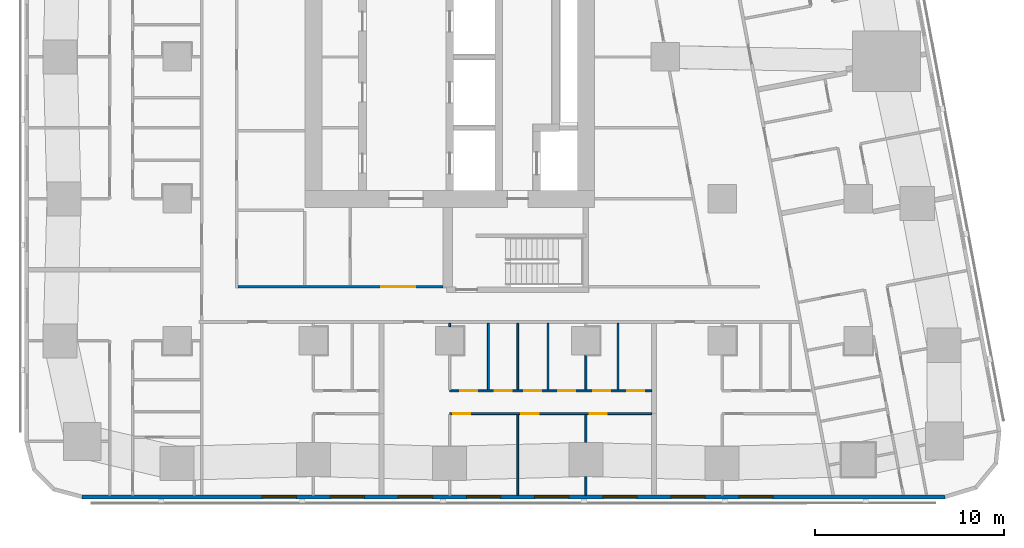
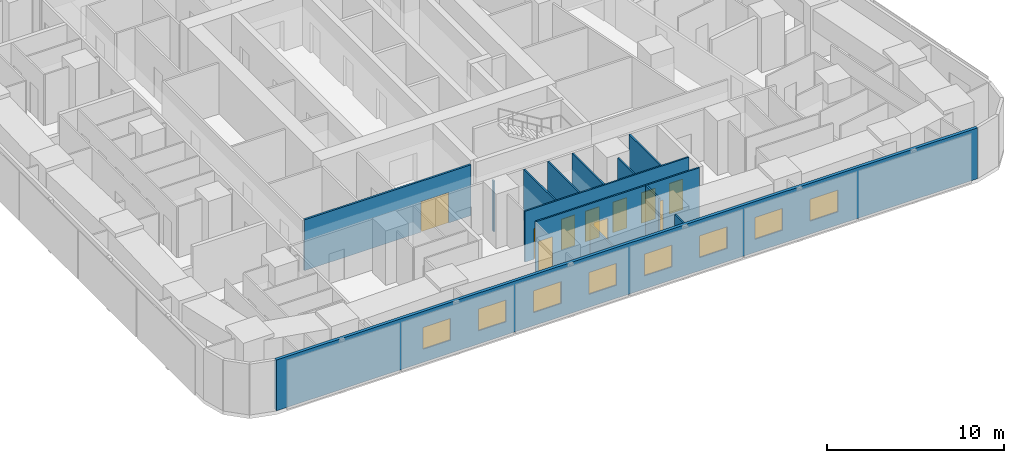
# One storey, part 3 of 15: 13 walls, 10 doors, 8 windows, 18 openings.
"""IFC4 building model written with IfcOpenShell, lengths in metres."""

from ifc_helpers import new_model, si_unit, direction, frame, frame_2d, origin, place, context, subcontext, project, spatial, rectangle, extrude, material, layer, layer_set, type_object, element, fill, save


model = new_model("IFC4")

# Units and contexts
model_context = context("Model", 3, precision=1e-05, world=origin(), true_north=direction((0.0, 1.0)))
body_context = subcontext(model_context, "Body", "Model", "MODEL_VIEW")
ifc_project = project(units=[si_unit("LENGTHUNIT", "METRE"), si_unit("AREAUNIT", "SQUARE_METRE"), si_unit("VOLUMEUNIT", "CUBIC_METRE"), si_unit("PLANEANGLEUNIT", "RADIAN"), si_unit("MASSUNIT", "GRAM", prefix="KILO")], contexts=[model_context])

# Site, building, storey
site_placement = place(None, origin())
site = spatial("IfcSite", under=ifc_project, at=site_placement, CompositionType="ELEMENT")
building_placement = place(site_placement, origin())
building = spatial("IfcBuilding", under=site, at=building_placement, Name="Sheger Commons Tower", CompositionType="ELEMENT")
storey_placement = place(building_placement, frame((0.0, 0.0, 143.300048828125)))
storey = spatial("IfcBuildingStorey", under=building, at=storey_placement, Name="L36", CompositionType="ELEMENT", Elevation=143.300048828125)

# Wall, openings, windows
ifc_material_1 = material(Name="Rendered concrete block masonry, dark grey", Category="masonry")
ifc_layer_1 = layer(ifc_material_1, 0.199951171875)
ifc_layer_set_1 = layer_set([ifc_layer_1], Name="FACADE WALL 200")
wall_type_1 = type_object("IfcWallType", Name="FACADE WALL 200", PredefinedType="SOLIDWALL", material=ifc_layer_set_1)
wall_1_placement = place(storey_placement, frame((2.1630859375, -0.75, 0.0), z_axis=(0.0, 0.0, 1.0), x_axis=(1.0, 0.0, 0.0)))
wall_1 = element("IfcWall", 1, at=wall_1_placement, inside=storey, type_object=wall_type_1, Name="Facade wall L36", PredefinedType="SOLIDWALL", context=body_context, shape_type="SweptSolid", body=[
    extrude(rectangle(XDim=45.6279296875, YDim=0.199951171875, at=frame_2d((22.81396484375, 0.0))), origin(), (0.0, 0.0, 1.0), 3.5),
])
opening_1_placement = place(wall_1_placement, frame((9.537109375, 0.0, 0.89990234375)))
opening_1 = element("IfcOpeningElement", 2, at=opening_1_placement, cuts=wall_1, Name="Opening W2", PredefinedType="OPENING", context=body_context, shape_type="SweptSolid", body=[
    extrude(rectangle(XDim=1.800048828125, YDim=1.5, at=frame_2d((0.89990234375, 0.75))), frame((0.0, 0.10986328125, 0.0), z_axis=(0.0, -1.0, 0.0), x_axis=(1.0, 0.0, 0.0)), (0.0, 0.0, 1.0), 0.219970703125),
])
opening_2_placement = place(wall_1_placement, frame((13.136962890625, 0.0, 0.89990234375)))
opening_2 = element("IfcOpeningElement", 3, at=opening_2_placement, cuts=wall_1, Name="Opening W2", PredefinedType="OPENING", context=body_context, shape_type="SweptSolid", body=[
    extrude(rectangle(XDim=1.800048828125, YDim=1.5, at=frame_2d((0.89990234375, 0.75))), frame((0.0, 0.10986328125, 0.0), z_axis=(0.0, -1.0, 0.0), x_axis=(1.0, 0.0, 0.0)), (0.0, 0.0, 1.0), 0.219970703125),
])
opening_3_placement = place(wall_1_placement, frame((16.737060546875, 0.0, 0.89990234375)))
opening_3 = element("IfcOpeningElement", 4, at=opening_3_placement, cuts=wall_1, Name="Opening W2", PredefinedType="OPENING", context=body_context, shape_type="SweptSolid", body=[
    extrude(rectangle(XDim=1.800048828125, YDim=1.5, at=frame_2d((0.89990234375, 0.75))), frame((0.0, 0.10986328125, 0.0), z_axis=(0.0, -1.0, 0.0), x_axis=(1.0, 0.0, 0.0)), (0.0, 0.0, 1.0), 0.219970703125),
])
opening_4_placement = place(wall_1_placement, frame((20.3369140625, 0.0, 0.89990234375)))
opening_4 = element("IfcOpeningElement", 5, at=opening_4_placement, cuts=wall_1, Name="Opening W2", PredefinedType="OPENING", context=body_context, shape_type="SweptSolid", body=[
    extrude(rectangle(XDim=1.800048828125, YDim=1.5, at=frame_2d((0.89990234375, 0.75))), frame((0.0, 0.10986328125, 0.0), z_axis=(0.0, -1.0, 0.0), x_axis=(1.0, 0.0, 0.0)), (0.0, 0.0, 1.0), 0.219970703125),
])
opening_5_placement = place(wall_1_placement, frame((23.93701171875, 0.0, 0.89990234375)))
opening_5 = element("IfcOpeningElement", 6, at=opening_5_placement, cuts=wall_1, Name="Opening W2", PredefinedType="OPENING", context=body_context, shape_type="SweptSolid", body=[
    extrude(rectangle(XDim=1.800048828125, YDim=1.5, at=frame_2d((0.89990234375, 0.75))), frame((0.0, 0.10986328125, 0.0), z_axis=(0.0, -1.0, 0.0), x_axis=(1.0, 0.0, 0.0)), (0.0, 0.0, 1.0), 0.219970703125),
])
opening_6_placement = place(wall_1_placement, frame((27.537109375, 0.0, 0.89990234375)))
opening_6 = element("IfcOpeningElement", 7, at=opening_6_placement, cuts=wall_1, Name="Opening W2", PredefinedType="OPENING", context=body_context, shape_type="SweptSolid", body=[
    extrude(rectangle(XDim=1.800048828125, YDim=1.5, at=frame_2d((0.89990234375, 0.75))), frame((0.0, 0.10986328125, 0.0), z_axis=(0.0, -1.0, 0.0), x_axis=(1.0, 0.0, 0.0)), (0.0, 0.0, 1.0), 0.219970703125),
])
opening_7_placement = place(wall_1_placement, frame((31.136962890625, 0.0, 0.89990234375)))
opening_7 = element("IfcOpeningElement", 8, at=opening_7_placement, cuts=wall_1, Name="Opening W2", PredefinedType="OPENING", context=body_context, shape_type="SweptSolid", body=[
    extrude(rectangle(XDim=1.800048828125, YDim=1.5, at=frame_2d((0.89990234375, 0.75))), frame((0.0, 0.10986328125, 0.0), z_axis=(0.0, -1.0, 0.0), x_axis=(1.0, 0.0, 0.0)), (0.0, 0.0, 1.0), 0.219970703125),
])
opening_8_placement = place(wall_1_placement, frame((34.737060546875, 0.0, 0.89990234375)))
opening_8 = element("IfcOpeningElement", 9, at=opening_8_placement, cuts=wall_1, Name="Opening W2", PredefinedType="OPENING", context=body_context, shape_type="SweptSolid", body=[
    extrude(rectangle(XDim=1.800048828125, YDim=1.5, at=frame_2d((0.89990234375, 0.75))), frame((0.0, 0.10986328125, 0.0), z_axis=(0.0, -1.0, 0.0), x_axis=(1.0, 0.0, 0.0)), (0.0, 0.0, 1.0), 0.219970703125),
])
ifc_material_2 = material(Name="Black aluminium frame, dark tinted double glazing", Category="aluminium")
window_type = type_object("IfcWindowType", Name="WINDOW W2 1800x1500", PartitioningType="SINGLE_PANEL", PredefinedType="WINDOW", material=ifc_material_2)
window_1_placement = place(opening_1_placement, origin())
window_1 = element("IfcWindow", 10, at=window_1_placement, inside=storey, type_object=window_type, Name="Window W2 1800X1500", OverallHeight=1.5, OverallWidth=1.800048828125, PartitioningType="SINGLE_PANEL", PredefinedType="WINDOW", context=body_context, shape_type="SweptSolid", body=[
    extrude(rectangle(XDim=1.800048828125, YDim=1.5, at=frame_2d((0.89990234375, 0.75))), frame((0.0, 0.030029296875, 0.0), z_axis=(0.0, -1.0, 0.0), x_axis=(1.0, 0.0, 0.0)), (0.0, 0.0, 1.0), 0.06005859375),
])
fill(opening_1, window_1)
window_2_placement = place(opening_2_placement, origin())
window_2 = element("IfcWindow", 11, at=window_2_placement, inside=storey, type_object=window_type, Name="Window W2 1800X1500", OverallHeight=1.5, OverallWidth=1.800048828125, PartitioningType="SINGLE_PANEL", PredefinedType="WINDOW", context=body_context, shape_type="SweptSolid", body=[
    extrude(rectangle(XDim=1.800048828125, YDim=1.5, at=frame_2d((0.89990234375, 0.75))), frame((0.0, 0.030029296875, 0.0), z_axis=(0.0, -1.0, 0.0), x_axis=(1.0, 0.0, 0.0)), (0.0, 0.0, 1.0), 0.06005859375),
])
fill(opening_2, window_2)
window_3_placement = place(opening_3_placement, origin())
window_3 = element("IfcWindow", 12, at=window_3_placement, inside=storey, type_object=window_type, Name="Window W2 1800X1500", OverallHeight=1.5, OverallWidth=1.800048828125, PartitioningType="SINGLE_PANEL", PredefinedType="WINDOW", context=body_context, shape_type="SweptSolid", body=[
    extrude(rectangle(XDim=1.800048828125, YDim=1.5, at=frame_2d((0.89990234375, 0.75))), frame((0.0, 0.030029296875, 0.0), z_axis=(0.0, -1.0, 0.0), x_axis=(1.0, 0.0, 0.0)), (0.0, 0.0, 1.0), 0.06005859375),
])
fill(opening_3, window_3)
window_4_placement = place(opening_4_placement, origin())
window_4 = element("IfcWindow", 13, at=window_4_placement, inside=storey, type_object=window_type, Name="Window W2 1800X1500", OverallHeight=1.5, OverallWidth=1.800048828125, PartitioningType="SINGLE_PANEL", PredefinedType="WINDOW", context=body_context, shape_type="SweptSolid", body=[
    extrude(rectangle(XDim=1.800048828125, YDim=1.5, at=frame_2d((0.89990234375, 0.75))), frame((0.0, 0.030029296875, 0.0), z_axis=(0.0, -1.0, 0.0), x_axis=(1.0, 0.0, 0.0)), (0.0, 0.0, 1.0), 0.06005859375),
])
fill(opening_4, window_4)
window_5_placement = place(opening_5_placement, origin())
window_5 = element("IfcWindow", 14, at=window_5_placement, inside=storey, type_object=window_type, Name="Window W2 1800X1500", OverallHeight=1.5, OverallWidth=1.800048828125, PartitioningType="SINGLE_PANEL", PredefinedType="WINDOW", context=body_context, shape_type="SweptSolid", body=[
    extrude(rectangle(XDim=1.800048828125, YDim=1.5, at=frame_2d((0.89990234375, 0.75))), frame((0.0, 0.030029296875, 0.0), z_axis=(0.0, -1.0, 0.0), x_axis=(1.0, 0.0, 0.0)), (0.0, 0.0, 1.0), 0.06005859375),
])
fill(opening_5, window_5)
window_6_placement = place(opening_6_placement, origin())
window_6 = element("IfcWindow", 15, at=window_6_placement, inside=storey, type_object=window_type, Name="Window W2 1800X1500", OverallHeight=1.5, OverallWidth=1.800048828125, PartitioningType="SINGLE_PANEL", PredefinedType="WINDOW", context=body_context, shape_type="SweptSolid", body=[
    extrude(rectangle(XDim=1.800048828125, YDim=1.5, at=frame_2d((0.89990234375, 0.75))), frame((0.0, 0.030029296875, 0.0), z_axis=(0.0, -1.0, 0.0), x_axis=(1.0, 0.0, 0.0)), (0.0, 0.0, 1.0), 0.06005859375),
])
fill(opening_6, window_6)
window_7_placement = place(opening_7_placement, origin())
window_7 = element("IfcWindow", 16, at=window_7_placement, inside=storey, type_object=window_type, Name="Window W2 1800X1500", OverallHeight=1.5, OverallWidth=1.800048828125, PartitioningType="SINGLE_PANEL", PredefinedType="WINDOW", context=body_context, shape_type="SweptSolid", body=[
    extrude(rectangle(XDim=1.800048828125, YDim=1.5, at=frame_2d((0.89990234375, 0.75))), frame((0.0, 0.030029296875, 0.0), z_axis=(0.0, -1.0, 0.0), x_axis=(1.0, 0.0, 0.0)), (0.0, 0.0, 1.0), 0.06005859375),
])
fill(opening_7, window_7)
window_8_placement = place(opening_8_placement, origin())
window_8 = element("IfcWindow", 17, at=window_8_placement, inside=storey, type_object=window_type, Name="Window W2 1800X1500", OverallHeight=1.5, OverallWidth=1.800048828125, PartitioningType="SINGLE_PANEL", PredefinedType="WINDOW", context=body_context, shape_type="SweptSolid", body=[
    extrude(rectangle(XDim=1.800048828125, YDim=1.5, at=frame_2d((0.89990234375, 0.75))), frame((0.0, 0.030029296875, 0.0), z_axis=(0.0, -1.0, 0.0), x_axis=(1.0, 0.0, 0.0)), (0.0, 0.0, 1.0), 0.06005859375),
])
fill(opening_8, window_8)

# Wall, openings, doors
ifc_material_3 = material(Name="Gypsum board on steel studs", Category="steel")
ifc_layer_2 = layer(ifc_material_3, 0.10009765625)
ifc_layer_set_2 = layer_set([ifc_layer_2], Name="PARTITION 100")
wall_type_2 = type_object("IfcWallType", Name="PARTITION 100", PredefinedType="PARTITIONING", material=ifc_layer_set_2)
wall_2_placement = place(storey_placement, frame((32.27490234375, 3.64990234375, 0.0), z_axis=(0.0, 0.0, 1.0), x_axis=(-1.0, 0.0, 0.0)))
wall_2 = element("IfcWall", 18, at=wall_2_placement, inside=storey, type_object=wall_type_2, Name="Partition L36", PredefinedType="PARTITIONING", context=body_context, shape_type="SweptSolid", body=[
    extrude(rectangle(XDim=10.6748046875, YDim=0.10009765625, at=frame_2d((5.33740234375, 0.0))), origin(), (0.0, 0.0, 1.0), 3.5),
])
opening_9_placement = place(wall_2_placement, frame((9.574951171875, 0.0, 0.0)))
opening_9 = element("IfcOpeningElement", 19, at=opening_9_placement, cuts=wall_2, Name="Opening D2", PredefinedType="OPENING", context=body_context, shape_type="SweptSolid", body=[
    extrude(rectangle(XDim=0.89990234375, YDim=2.10009765625, at=frame_2d((0.449951171875, 1.050048828125))), frame((0.0, 0.06005859375, 0.0), z_axis=(0.0, -1.0, 0.0), x_axis=(1.0, 0.0, 0.0)), (0.0, 0.0, 1.0), 0.1201171875),
])
opening_10_placement = place(wall_2_placement, frame((5.97509765625, 0.0, 0.0)))
opening_10 = element("IfcOpeningElement", 20, at=opening_10_placement, cuts=wall_2, Name="Opening D2", PredefinedType="OPENING", context=body_context, shape_type="SweptSolid", body=[
    extrude(rectangle(XDim=0.89990234375, YDim=2.10009765625, at=frame_2d((0.449951171875, 1.050048828125))), frame((0.0, 0.06005859375, 0.0), z_axis=(0.0, -1.0, 0.0), x_axis=(1.0, 0.0, 0.0)), (0.0, 0.0, 1.0), 0.1201171875),
])
opening_11_placement = place(wall_2_placement, frame((2.375, 0.0, 0.0)))
opening_11 = element("IfcOpeningElement", 21, at=opening_11_placement, cuts=wall_2, Name="Opening D2", PredefinedType="OPENING", context=body_context, shape_type="SweptSolid", body=[
    extrude(rectangle(XDim=0.89990234375, YDim=2.10009765625, at=frame_2d((0.449951171875, 1.050048828125))), frame((0.0, 0.06005859375, 0.0), z_axis=(0.0, -1.0, 0.0), x_axis=(1.0, 0.0, 0.0)), (0.0, 0.0, 1.0), 0.1201171875),
])
ifc_material_4 = material(Name="Timber door set", Category="wood")
door_type_1 = type_object("IfcDoorType", Name="INTERNAL DOOR 900x2100", OperationType="NOTDEFINED", PredefinedType="DOOR", material=ifc_material_4)
door_1_placement = place(opening_9_placement, origin())
door_1 = element("IfcDoor", 22, at=door_1_placement, inside=storey, type_object=door_type_1, Name="Main bedroom door", OperationType="SINGLE_SWING_RIGHT", OverallHeight=2.10009765625, OverallWidth=0.89990234375, PredefinedType="DOOR", context=body_context, shape_type="SweptSolid", body=[
    extrude(rectangle(XDim=0.89990234375, YDim=2.10009765625, at=frame_2d((0.449951171875, 1.050048828125))), frame((0.0, 0.02490234375, 0.0), z_axis=(0.0, -1.0, 0.0), x_axis=(1.0, 0.0, 0.0)), (0.0, 0.0, 1.0), 0.050048828125),
])
fill(opening_9, door_1)
door_2_placement = place(opening_10_placement, origin())
door_2 = element("IfcDoor", 23, at=door_2_placement, inside=storey, type_object=door_type_1, Name="Bedroom 2 door", OperationType="SINGLE_SWING_RIGHT", OverallHeight=2.10009765625, OverallWidth=0.89990234375, PredefinedType="DOOR", context=body_context, shape_type="SweptSolid", body=[
    extrude(rectangle(XDim=0.89990234375, YDim=2.10009765625, at=frame_2d((0.449951171875, 1.050048828125))), frame((0.0, 0.02490234375, 0.0), z_axis=(0.0, -1.0, 0.0), x_axis=(1.0, 0.0, 0.0)), (0.0, 0.0, 1.0), 0.050048828125),
])
fill(opening_10, door_2)
door_3_placement = place(opening_11_placement, origin())
door_3 = element("IfcDoor", 24, at=door_3_placement, inside=storey, type_object=door_type_1, Name="Bedroom 3 door", OperationType="SINGLE_SWING_RIGHT", OverallHeight=2.10009765625, OverallWidth=0.89990234375, PredefinedType="DOOR", context=body_context, shape_type="SweptSolid", body=[
    extrude(rectangle(XDim=0.89990234375, YDim=2.10009765625, at=frame_2d((0.449951171875, 1.050048828125))), frame((0.0, 0.02490234375, 0.0), z_axis=(0.0, -1.0, 0.0), x_axis=(1.0, 0.0, 0.0)), (0.0, 0.0, 1.0), 0.050048828125),
])
fill(opening_11, door_3)

wall_3_placement = place(storey_placement, frame((32.27490234375, 4.85009765625, 0.0), z_axis=(0.0, 0.0, 1.0), x_axis=(-1.0, 0.0, 0.0)))
wall_3 = element("IfcWall", 25, at=wall_3_placement, inside=storey, type_object=wall_type_2, Name="Partition L36", PredefinedType="PARTITIONING", context=body_context, shape_type="SweptSolid", body=[
    extrude(rectangle(XDim=10.6748046875, YDim=0.10009765625, at=frame_2d((5.33740234375, 0.0))), origin(), (0.0, 0.0, 1.0), 3.5),
])
opening_12_placement = place(wall_3_placement, frame((9.199951171875, 0.0, 0.0)))
opening_12 = element("IfcOpeningElement", 26, at=opening_12_placement, cuts=wall_3, Name="Opening D2", PredefinedType="OPENING", context=body_context, shape_type="SweptSolid", body=[
    extrude(rectangle(XDim=0.89990234375, YDim=2.10009765625, at=frame_2d((0.449951171875, 1.050048828125))), frame((0.0, 0.06005859375, 0.0), z_axis=(0.0, -1.0, 0.0), x_axis=(1.0, 0.0, 0.0)), (0.0, 0.0, 1.0), 0.1201171875),
])
opening_13_placement = place(wall_3_placement, frame((5.824951171875, 0.0, 0.0)))
opening_13 = element("IfcOpeningElement", 27, at=opening_13_placement, cuts=wall_3, Name="Opening D2", PredefinedType="OPENING", context=body_context, shape_type="SweptSolid", body=[
    extrude(rectangle(XDim=0.89990234375, YDim=2.10009765625, at=frame_2d((0.449951171875, 1.050048828125))), frame((0.0, 0.06005859375, 0.0), z_axis=(0.0, -1.0, 0.0), x_axis=(1.0, 0.0, 0.0)), (0.0, 0.0, 1.0), 0.1201171875),
])
opening_14_placement = place(wall_3_placement, frame((2.175048828125, 0.0, 0.0)))
opening_14 = element("IfcOpeningElement", 28, at=opening_14_placement, cuts=wall_3, Name="Opening D2", PredefinedType="OPENING", context=body_context, shape_type="SweptSolid", body=[
    extrude(rectangle(XDim=0.89990234375, YDim=2.10009765625, at=frame_2d((0.449951171875, 1.050048828125))), frame((0.0, 0.06005859375, 0.0), z_axis=(0.0, -1.0, 0.0), x_axis=(1.0, 0.0, 0.0)), (0.0, 0.0, 1.0), 0.1201171875),
])
opening_15_placement = place(wall_3_placement, frame((7.39990234375, 0.0, 0.0)))
opening_15 = element("IfcOpeningElement", 29, at=opening_15_placement, cuts=wall_3, Name="Opening D2", PredefinedType="OPENING", context=body_context, shape_type="SweptSolid", body=[
    extrude(rectangle(XDim=0.89990234375, YDim=2.10009765625, at=frame_2d((0.449951171875, 1.050048828125))), frame((0.0, 0.06005859375, 0.0), z_axis=(0.0, -1.0, 0.0), x_axis=(1.0, 0.0, 0.0)), (0.0, 0.0, 1.0), 0.1201171875),
])
opening_16_placement = place(wall_3_placement, frame((4.02490234375, 0.0, 0.0)))
opening_16 = element("IfcOpeningElement", 30, at=opening_16_placement, cuts=wall_3, Name="Opening D2", PredefinedType="OPENING", context=body_context, shape_type="SweptSolid", body=[
    extrude(rectangle(XDim=0.89990234375, YDim=2.10009765625, at=frame_2d((0.449951171875, 1.050048828125))), frame((0.0, 0.06005859375, 0.0), z_axis=(0.0, -1.0, 0.0), x_axis=(1.0, 0.0, 0.0)), (0.0, 0.0, 1.0), 0.1201171875),
])
opening_17_placement = place(wall_3_placement, frame((0.375, 0.0, 0.0)))
opening_17 = element("IfcOpeningElement", 31, at=opening_17_placement, cuts=wall_3, Name="Opening D2", PredefinedType="OPENING", context=body_context, shape_type="SweptSolid", body=[
    extrude(rectangle(XDim=0.89990234375, YDim=2.10009765625, at=frame_2d((0.449951171875, 1.050048828125))), frame((0.0, 0.06005859375, 0.0), z_axis=(0.0, -1.0, 0.0), x_axis=(1.0, 0.0, 0.0)), (0.0, 0.0, 1.0), 0.1201171875),
])
door_4_placement = place(opening_12_placement, origin())
door_4 = element("IfcDoor", 32, at=door_4_placement, inside=storey, type_object=door_type_1, Name="Bathroom door", OperationType="SINGLE_SWING_LEFT", OverallHeight=2.10009765625, OverallWidth=0.89990234375, PredefinedType="DOOR", context=body_context, shape_type="SweptSolid", body=[
    extrude(rectangle(XDim=0.89990234375, YDim=2.10009765625, at=frame_2d((0.449951171875, 1.050048828125))), frame((0.0, 0.02490234375, 0.0), z_axis=(0.0, -1.0, 0.0), x_axis=(1.0, 0.0, 0.0)), (0.0, 0.0, 1.0), 0.050048828125),
])
fill(opening_12, door_4)
door_5_placement = place(opening_13_placement, origin())
door_5 = element("IfcDoor", 33, at=door_5_placement, inside=storey, type_object=door_type_1, Name="Shower room door", OperationType="SINGLE_SWING_LEFT", OverallHeight=2.10009765625, OverallWidth=0.89990234375, PredefinedType="DOOR", context=body_context, shape_type="SweptSolid", body=[
    extrude(rectangle(XDim=0.89990234375, YDim=2.10009765625, at=frame_2d((0.449951171875, 1.050048828125))), frame((0.0, 0.02490234375, 0.0), z_axis=(0.0, -1.0, 0.0), x_axis=(1.0, 0.0, 0.0)), (0.0, 0.0, 1.0), 0.050048828125),
])
fill(opening_13, door_5)
door_6_placement = place(opening_14_placement, origin())
door_6 = element("IfcDoor", 34, at=door_6_placement, inside=storey, type_object=door_type_1, Name="Laundry room door", OperationType="SINGLE_SWING_LEFT", OverallHeight=2.10009765625, OverallWidth=0.89990234375, PredefinedType="DOOR", context=body_context, shape_type="SweptSolid", body=[
    extrude(rectangle(XDim=0.89990234375, YDim=2.10009765625, at=frame_2d((0.449951171875, 1.050048828125))), frame((0.0, 0.02490234375, 0.0), z_axis=(0.0, -1.0, 0.0), x_axis=(1.0, 0.0, 0.0)), (0.0, 0.0, 1.0), 0.050048828125),
])
fill(opening_14, door_6)
door_7_placement = place(opening_15_placement, origin())
door_7 = element("IfcDoor", 35, at=door_7_placement, inside=storey, type_object=door_type_1, Name="Store door", OperationType="SINGLE_SWING_RIGHT", OverallHeight=2.10009765625, OverallWidth=0.89990234375, PredefinedType="DOOR", context=body_context, shape_type="SweptSolid", body=[
    extrude(rectangle(XDim=0.89990234375, YDim=2.10009765625, at=frame_2d((0.449951171875, 1.050048828125))), frame((0.0, 0.02490234375, 0.0), z_axis=(0.0, -1.0, 0.0), x_axis=(1.0, 0.0, 0.0)), (0.0, 0.0, 1.0), 0.050048828125),
])
fill(opening_15, door_7)
door_8_placement = place(opening_16_placement, origin())
door_8 = element("IfcDoor", 36, at=door_8_placement, inside=storey, type_object=door_type_1, Name="Store door", OperationType="SINGLE_SWING_RIGHT", OverallHeight=2.10009765625, OverallWidth=0.89990234375, PredefinedType="DOOR", context=body_context, shape_type="SweptSolid", body=[
    extrude(rectangle(XDim=0.89990234375, YDim=2.10009765625, at=frame_2d((0.449951171875, 1.050048828125))), frame((0.0, 0.02490234375, 0.0), z_axis=(0.0, -1.0, 0.0), x_axis=(1.0, 0.0, 0.0)), (0.0, 0.0, 1.0), 0.050048828125),
])
fill(opening_16, door_8)
door_9_placement = place(opening_17_placement, origin())
door_9 = element("IfcDoor", 37, at=door_9_placement, inside=storey, type_object=door_type_1, Name="Store door", OperationType="SINGLE_SWING_RIGHT", OverallHeight=2.10009765625, OverallWidth=0.89990234375, PredefinedType="DOOR", context=body_context, shape_type="SweptSolid", body=[
    extrude(rectangle(XDim=0.89990234375, YDim=2.10009765625, at=frame_2d((0.449951171875, 1.050048828125))), frame((0.0, 0.02490234375, 0.0), z_axis=(0.0, -1.0, 0.0), x_axis=(1.0, 0.0, 0.0)), (0.0, 0.0, 1.0), 0.050048828125),
])
fill(opening_17, door_9)

# Walls
wall_4_placement = place(storey_placement, frame((25.199951171875, -0.64990234375, 0.0), z_axis=(0.0, 0.0, 1.0), x_axis=(0.0, 1.0, 0.0)))
element("IfcWall", 38, at=wall_4_placement, inside=storey, type_object=wall_type_2, Name="Partition L36", PredefinedType="PARTITIONING", context=body_context, shape_type="SweptSolid", body=[
    extrude(rectangle(XDim=4.25, YDim=0.10009765625, at=frame_2d((2.125, 0.0))), origin(), (0.0, 0.0, 1.0), 2.099853515625),
])
wall_5_placement = place(storey_placement, frame((28.800048828125, -0.64990234375, 0.0), z_axis=(0.0, 0.0, 1.0), x_axis=(0.0, 1.0, 0.0)))
element("IfcWall", 39, at=wall_5_placement, inside=storey, type_object=wall_type_2, Name="Partition L36", PredefinedType="PARTITIONING", context=body_context, shape_type="SweptSolid", body=[
    extrude(rectangle(XDim=0.973876953125, YDim=0.10009765625, at=frame_2d((0.48681640625, 0.0))), origin(), (0.0, 0.0, 1.0), 3.5),
])
wall_6_placement = place(storey_placement, frame((28.800048828125, 2.1259765625, 0.0), z_axis=(0.0, 0.0, 1.0), x_axis=(0.0, 1.0, 0.0)))
element("IfcWall", 40, at=wall_6_placement, inside=storey, type_object=wall_type_2, Name="Partition L36", PredefinedType="PARTITIONING", context=body_context, shape_type="SweptSolid", body=[
    extrude(rectangle(XDim=1.47412109375, YDim=0.10009765625, at=frame_2d((0.737060546875, 0.0))), origin(), (0.0, 0.0, 1.0), 3.5),
])
wall_7_placement = place(storey_placement, frame((21.60009765625, 8.2509765625, 0.0), z_axis=(0.0, 0.0, 1.0), x_axis=(0.0, 1.0, 0.0)))
element("IfcWall", 41, at=wall_7_placement, inside=storey, type_object=wall_type_2, Name="Partition L36", PredefinedType="PARTITIONING", context=body_context, shape_type="SweptSolid", body=[
    extrude(rectangle(XDim=0.174072265625, YDim=0.10009765625, at=frame_2d((0.0869140625, 0.0))), origin(), (0.0, 0.0, 1.0), 3.5),
])
wall_8_placement = place(storey_placement, frame((25.199951171875, 4.89990234375, 0.0), z_axis=(0.0, 0.0, 1.0), x_axis=(0.0, 1.0, 0.0)))
element("IfcWall", 42, at=wall_8_placement, inside=storey, type_object=wall_type_2, Name="Partition L36", PredefinedType="PARTITIONING", context=body_context, shape_type="SweptSolid", body=[
    extrude(rectangle(XDim=3.525146484375, YDim=0.10009765625, at=frame_2d((1.7626953125, 0.0))), origin(), (0.0, 0.0, 1.0), 3.5),
])
wall_9_placement = place(storey_placement, frame((28.800048828125, 4.89990234375, 0.0), z_axis=(0.0, 0.0, 1.0), x_axis=(0.0, 1.0, 0.0)))
element("IfcWall", 43, at=wall_9_placement, inside=storey, type_object=wall_type_2, Name="Partition L36", PredefinedType="PARTITIONING", context=body_context, shape_type="SweptSolid", body=[
    extrude(rectangle(XDim=1.84912109375, YDim=0.10009765625, at=frame_2d((0.924560546875, 0.0))), origin(), (0.0, 0.0, 1.0), 3.5),
])
for number, where, z_axis, x_axis, name in (
    (44, (23.64990234375, 4.89990234375, 0.0), (0.0, 0.0, 1.0), (0.0, 1.0, 0.0), "Partition L36"),
    (45, (26.800048828125, 4.89990234375, 0.0), (0.0, 0.0, 1.0), (0.0, 1.0, 0.0), "Partition L36"),
    (46, (30.5, 4.89990234375, 0.0), (0.0, 0.0, 1.0), (0.0, 1.0, 0.0), "Partition L36"),
):
    element("IfcWall", number, at=place(storey_placement, frame(where, z_axis=z_axis, x_axis=x_axis)), inside=storey, type_object=wall_type_2, Name=name, PredefinedType="PARTITIONING", context=body_context, shape_type="SweptSolid", body=[
        extrude(rectangle(XDim=3.525146484375, YDim=0.10009765625, at=frame_2d((1.7626953125, 0.0))), origin(), (0.0, 0.0, 1.0), 3.5),
    ])

# Wall, opening, door
ifc_material_5 = material(Name="Gypsum board on steel studs, two layers each side, fire rated", Category="steel")
ifc_layer_3 = layer(ifc_material_5, 0.125)
ifc_layer_set_3 = layer_set([ifc_layer_3], Name="SERVICE WALL 125")
wall_type_3 = type_object("IfcWallType", Name="SERVICE WALL 125", PredefinedType="PARTITIONING", material=ifc_layer_set_3)
wall_10_placement = place(storey_placement, frame((10.4130859375, 10.35009765625, 0.0), z_axis=(0.0, 0.0, 1.0), x_axis=(1.0, 0.0, 0.0)))
wall_10 = element("IfcWall", 47, at=wall_10_placement, inside=storey, type_object=wall_type_3, Name="Service room wall L36", PredefinedType="PARTITIONING", context=body_context, shape_type="SweptSolid", body=[
    extrude(rectangle(XDim=10.8369140625, YDim=0.125, at=frame_2d((5.41845703125, 0.0))), origin(), (0.0, 0.0, 1.0), 3.5),
])
opening_18_placement = place(wall_10_placement, frame((7.58203125, 0.0, 0.0)))
opening_18 = element("IfcOpeningElement", 48, at=opening_18_placement, cuts=wall_10, Name="Opening D6", PredefinedType="OPENING", context=body_context, shape_type="SweptSolid", body=[
    extrude(rectangle(XDim=1.800048828125, YDim=2.10009765625, at=frame_2d((0.89990234375, 1.050048828125))), frame((0.0, 0.072509765625, 0.0), z_axis=(0.0, -1.0, 0.0), x_axis=(1.0, 0.0, 0.0)), (0.0, 0.0, 1.0), 0.14501953125),
])
ifc_material_6 = material(Name="Steel door set, fire rated", Category="steel")
door_type_2 = type_object("IfcDoorType", Name="LOBBY DOUBLE DOOR 1800x2100", OperationType="DOUBLE_DOOR_SINGLE_SWING", PredefinedType="DOOR", material=ifc_material_6)
door_10_placement = place(opening_18_placement, origin())
door_10 = element("IfcDoor", 49, at=door_10_placement, inside=storey, type_object=door_type_2, Name="Lift lobby south door", OperationType="DOUBLE_DOOR_SINGLE_SWING", OverallHeight=2.10009765625, OverallWidth=1.800048828125, PredefinedType="DOOR", context=body_context, shape_type="SweptSolid", body=[
    extrude(rectangle(XDim=1.800048828125, YDim=2.10009765625, at=frame_2d((0.89990234375, 1.050048828125))), frame((0.0, 0.02490234375, 0.0), z_axis=(0.0, -1.0, 0.0), x_axis=(1.0, 0.0, 0.0)), (0.0, 0.0, 1.0), 0.050048828125),
])
fill(opening_18, door_10)

save(model, "model.ifc")
